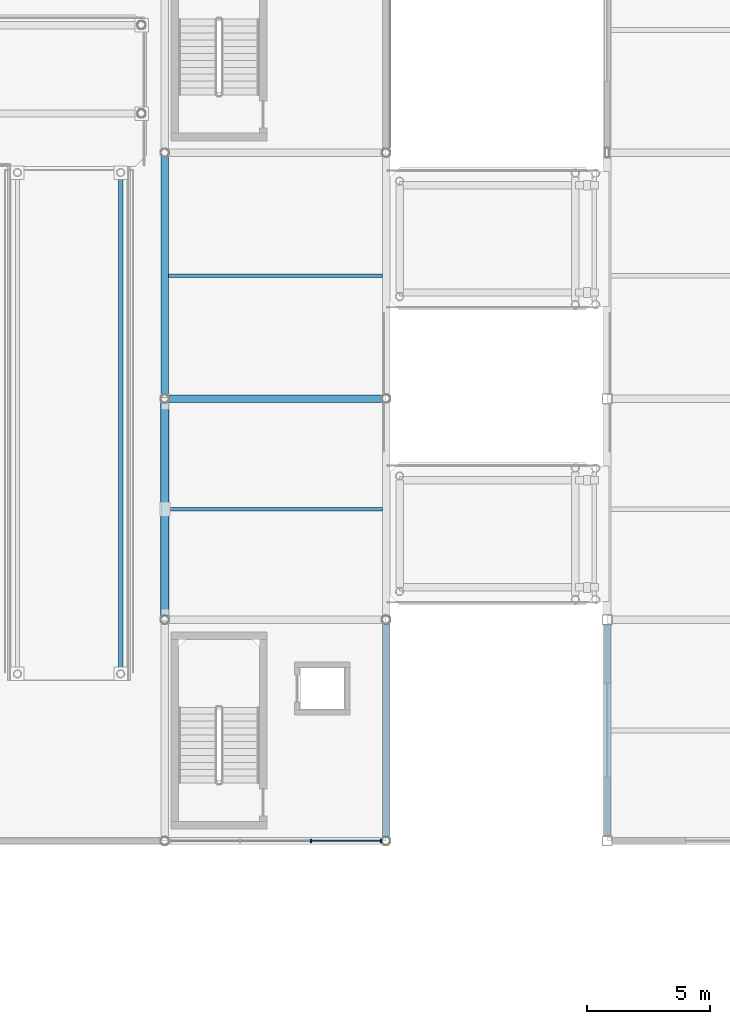
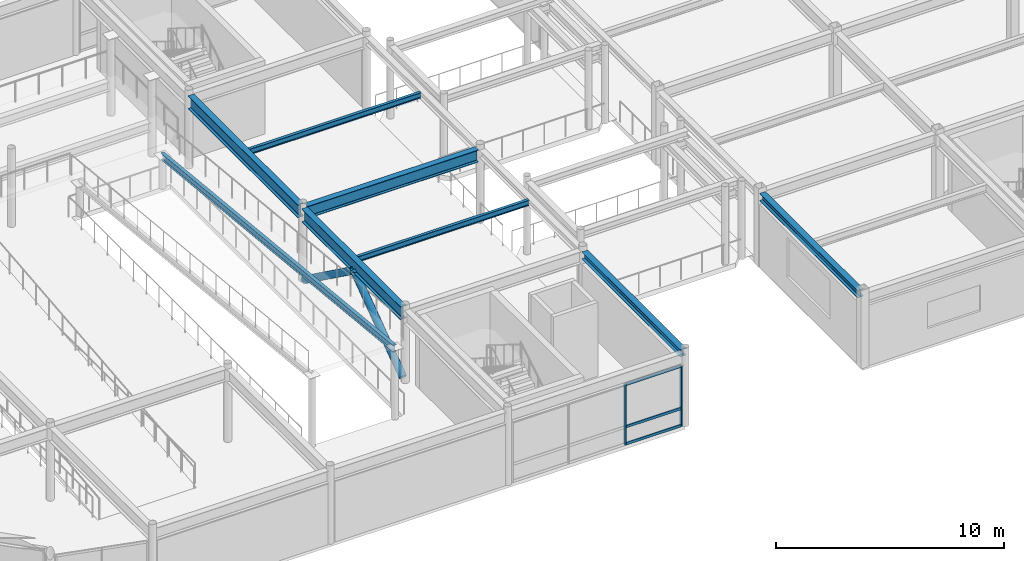
# One storey, part 19 of 70: 8 beams, 7 members, 1 element without a shape of its own.
"""IFC4 building model written with IfcOpenShell, lengths in metres."""

from ifc_helpers import new_model, si_unit, direction, frame, origin, origin_2d, place, context, subcontext, project, spatial, rectangle, hollow_circle, i_section, extrude, material, material_profile, profile_set, type_object, element, aggregate, save


model = new_model("IFC4")

# Units and contexts
model_context = context("Model", 3, precision=1e-05, world=origin(), true_north=direction((0.0, 1.0)))
body_context = subcontext(model_context, "Body", "Model", "MODEL_VIEW")
ifc_project = project(units=[si_unit("LENGTHUNIT", "METRE"), si_unit("AREAUNIT", "SQUARE_METRE"), si_unit("VOLUMEUNIT", "CUBIC_METRE"), si_unit("PLANEANGLEUNIT", "RADIAN"), si_unit("MASSUNIT", "GRAM", prefix="KILO")], contexts=[model_context])

# Site, building, storey
site_placement = place(None, origin())
site = spatial("IfcSite", under=ifc_project, at=site_placement, CompositionType="ELEMENT")
building_placement = place(site_placement, origin())
building = spatial("IfcBuilding", under=site, at=building_placement, Name="Suzunagisa Mobility Hub", CompositionType="ELEMENT")
storey_placement = place(building_placement, frame((0.0, 0.0, 13.5)))
storey = spatial("IfcBuildingStorey", under=building, at=storey_placement, Name="L03", CompositionType="ELEMENT", Elevation=13.5)

# Curtain wall, members
ifc_material_1 = material(Name="Thermally Broken Anodized Aluminum and Low-E Glazing", Category="aluminium")
curtain_wall_type = type_object("IfcCurtainWallType", Name="Unitised Curtain Wall CW-13 8750x3200", PredefinedType="USERDEFINED", material=ifc_material_1)
curtain_wall_placement = place(storey_placement, origin())
curtain_wall = element("IfcCurtainWall", 1, at=curtain_wall_placement, inside=storey, type_object=curtain_wall_type, Name="L03 Unitised Curtain Wall CW-74", ObjectType="UNITISED CURTAIN WALL", PredefinedType="USERDEFINED")
ifc_material_2 = material(Name="Anodized Aluminum 6063-T6", Category="aluminium")
ifc_material_profile_1 = material_profile(ifc_material_2, rectangle(XDim=0.06494140625, YDim=0.139892578125, at=origin_2d()), Name="TRAN-65x140")
ifc_profile_set_1 = profile_set([ifc_material_profile_1], Name="Anodized Aluminum 6063-T6")
member_type_1 = type_object("IfcMemberType", Name="Curtain Wall Framing CM-01 TRAN-65x140", PredefinedType="USERDEFINED", material=ifc_profile_set_1)
member_1_placement = place(storey_placement, frame((32.96875, 80.0, 0.032470703125), z_axis=(1.0, 0.0, 0.0), x_axis=(0.0, 1.0, 0.0)))
member_1 = element("IfcMember", 2, at=member_1_placement, type_object=member_type_1, Name="Curtain Wall Transom 74-T3.1", ObjectType="TRANSOM", PredefinedType="USERDEFINED", context=body_context, shape_type="SweptSolid", body=[
    extrude(rectangle(XDim=0.06494140625, YDim=0.139892578125, at=origin_2d()), origin(), (0.0, 0.0, 1.0), 2.79541015625),
])
member_2_placement = place(storey_placement, frame((32.96875, 80.0, 0.949951171875), z_axis=(1.0, 0.0, 0.0), x_axis=(0.0, 1.0, 0.0)))
member_2 = element("IfcMember", 3, at=member_2_placement, type_object=member_type_1, Name="Curtain Wall Transom 74-T3.2", ObjectType="TRANSOM", PredefinedType="USERDEFINED", context=body_context, shape_type="SweptSolid", body=[
    extrude(rectangle(XDim=0.06494140625, YDim=0.139892578125, at=origin_2d()), origin(), (0.0, 0.0, 1.0), 2.79541015625),
])
member_3_placement = place(storey_placement, frame((32.96875, 80.0, 3.217529296875), z_axis=(1.0, 0.0, 0.0), x_axis=(0.0, 1.0, 0.0)))
member_3 = element("IfcMember", 4, at=member_3_placement, type_object=member_type_1, Name="Curtain Wall Transom 74-T3.3", ObjectType="TRANSOM", PredefinedType="USERDEFINED", context=body_context, shape_type="SweptSolid", body=[
    extrude(rectangle(XDim=0.06494140625, YDim=0.139892578125, at=origin_2d()), origin(), (0.0, 0.0, 1.0), 2.79541015625),
])
ifc_material_profile_2 = material_profile(ifc_material_2, rectangle(XDim=0.06005859375, YDim=0.14990234375, at=origin_2d()), Name="MULL-60x150")
ifc_profile_set_2 = profile_set([ifc_material_profile_2], Name="Anodized Aluminum 6063-T6")
member_type_2 = type_object("IfcMemberType", Name="Curtain Wall Framing CM-03 MULL-60x150", PredefinedType="MULLION", material=ifc_profile_set_2)
member_4_placement = place(storey_placement, frame((32.940673828125, 80.0, 0.0), z_axis=(0.0, 0.0, 1.0), x_axis=(1.0, 0.0, 0.0)))
member_4 = element("IfcMember", 5, at=member_4_placement, type_object=member_type_2, Name="Curtain Wall Mullion 74-M3", PredefinedType="MULLION", context=body_context, shape_type="SweptSolid", body=[
    extrude(rectangle(XDim=0.06005859375, YDim=0.14990234375, at=origin_2d()), origin(), (0.0, 0.0, 1.0), 3.25),
])
member_5_placement = place(storey_placement, frame((35.792236328125, 80.0, 0.0), z_axis=(0.0, 0.0, 1.0), x_axis=(1.0, 0.0, 0.0)))
member_5 = element("IfcMember", 6, at=member_5_placement, type_object=member_type_2, Name="Curtain Wall Mullion 74-M4", PredefinedType="MULLION", context=body_context, shape_type="SweptSolid", body=[
    extrude(rectangle(XDim=0.06005859375, YDim=0.14990234375, at=origin_2d()), origin(), (0.0, 0.0, 1.0), 3.25),
])
aggregate(curtain_wall, [member_4, member_5, member_1, member_2, member_3])

# Members
ifc_material_3 = material(Name="Steel SN490B", Category="steel")
ifc_material_profile_3 = material_profile(ifc_material_3, hollow_circle(Radius=0.177734375, WallThickness=0.0126953125, at=origin_2d()), Name="CHS-355.6x12.7")
ifc_profile_set_3 = profile_set([ifc_material_profile_3], Name="Steel SN490B")
member_type_3 = type_object("IfcMemberType", Name="Roof Truss and Brace Member MB-03 CHS-355.6x12.7", PredefinedType="BRACE", material=ifc_profile_set_3)
for number, where, z_axis, x_axis, name in (
    (7, (27.0, 89.19775390625, 0.1201171875), (0.0, 0.809893183997, 0.586577386639), (-1.0, 0.0, 0.0), "L03 Concentric Lateral Brace BR-25"),
    (8, (27.0, 97.80224609375, 0.1201171875), (0.0, -0.809893183997, 0.586577386639), (1.0, 0.0, 0.0), "L03 Concentric Lateral Brace BR-26"),
):
    element("IfcMember", number, at=place(storey_placement, frame(where, z_axis=z_axis, x_axis=x_axis)), inside=storey, type_object=member_type_3, Name=name, PredefinedType="BRACE", context=body_context, shape_type="SweptSolid", body=[
        extrude(hollow_circle(Radius=0.177734375, WallThickness=0.0126953125, at=origin_2d()), origin(), (0.0, 0.0, 1.0), 5.31201171875),
    ])

# Beams
ifc_material_4 = material(Name="Steel SN400B", Category="steel")
ifc_material_profile_4 = material_profile(ifc_material_4, i_section(OverallWidth=0.175048828125, OverallDepth=0.35009765625, WebThickness=0.007080078125, FlangeThickness=0.010986328125, FilletRadius=0.008056640625, at=origin_2d()), Name="H-350x175x7x11")
ifc_profile_set_4 = profile_set([ifc_material_profile_4], Name="Steel SN400B")
beam_type_1 = type_object("IfcBeamType", Name="Steel Beam BM-03 H-350x175x7x11", PredefinedType="JOIST", material=ifc_profile_set_4)
beam_1_placement = place(storey_placement, frame((25.199951171875, 107.199951171875, 1.69091796875), z_axis=(0.0, -0.994990866518, 0.099965871902), x_axis=(1.0, 0.0, 0.0)))
element("IfcBeam", 9, at=beam_1_placement, inside=storey, type_object=beam_type_1, Name="L03 Vehicle Ramp Stringer Beam VR-06-F2-2330", PredefinedType="JOIST", context=body_context, shape_type="SweptSolid", body=[
    extrude(i_section(OverallWidth=0.175048828125, OverallDepth=0.35009765625, WebThickness=0.007080078125, FlangeThickness=0.010986328125, FilletRadius=0.008056640625, at=origin_2d()), origin(), (0.0, 0.0, 1.0), 20.502685546875),
])
ifc_material_profile_5 = material_profile(ifc_material_3, i_section(OverallWidth=0.300048828125, OverallDepth=0.64990234375, WebThickness=0.012939453125, FlangeThickness=0.02197265625, FilletRadius=0.01611328125, at=origin_2d()), Name="H-650x300x13x22")
ifc_profile_set_5 = profile_set([ifc_material_profile_5], Name="Steel SN490B")
beam_type_2 = type_object("IfcBeamType", Name="Steel Beam BM-10 H-650x300x13x22", PredefinedType="BEAM", material=ifc_profile_set_5)
beam_2_placement = place(storey_placement, frame((27.173828125, 98.0, 3.625), z_axis=(1.0, 0.0, 0.0), x_axis=(0.0, 1.0, 0.0)))
element("IfcBeam", 10, at=beam_2_placement, inside=storey, type_object=beam_type_2, Name="L03 Primary Girder GX-561", PredefinedType="BEAM", context=body_context, shape_type="SweptSolid", body=[
    extrude(i_section(OverallWidth=0.300048828125, OverallDepth=0.64990234375, WebThickness=0.012939453125, FlangeThickness=0.02197265625, FilletRadius=0.01611328125, at=origin_2d()), origin(), (0.0, 0.0, 1.0), 8.65234375),
])
ifc_material_profile_6 = material_profile(ifc_material_3, i_section(OverallWidth=0.300048828125, OverallDepth=0.699951171875, WebThickness=0.012939453125, FlangeThickness=0.02392578125, FilletRadius=0.01806640625, at=origin_2d()), Name="H-700x300x13x24")
ifc_profile_set_6 = profile_set([ifc_material_profile_6], Name="Steel SN490B")
beam_type_3 = type_object("IfcBeamType", Name="Steel Beam BM-11 H-700x300x13x24", PredefinedType="BEAM", material=ifc_profile_set_6)
beam_3_placement = place(storey_placement, frame((27.0, 89.173828125, 3.60009765625), z_axis=(0.0, 1.0, 0.0), x_axis=(-1.0, 0.0, 0.0)))
element("IfcBeam", 11, at=beam_3_placement, inside=storey, type_object=beam_type_3, Name="L03 Primary Girder GY-575", PredefinedType="BEAM", context=body_context, shape_type="SweptSolid", body=[
    extrude(i_section(OverallWidth=0.300048828125, OverallDepth=0.699951171875, WebThickness=0.012939453125, FlangeThickness=0.02392578125, FilletRadius=0.01806640625, at=origin_2d()), origin(), (0.0, 0.0, 1.0), 8.65234375),
])
beam_4_placement = place(storey_placement, frame((27.0, 98.173828125, 3.60009765625), z_axis=(0.0, 1.0, 0.0), x_axis=(-1.0, 0.0, 0.0)))
element("IfcBeam", 12, at=beam_4_placement, inside=storey, type_object=beam_type_3, Name="L03 Primary Girder GY-576", PredefinedType="BEAM", context=body_context, shape_type="SweptSolid", body=[
    extrude(i_section(OverallWidth=0.300048828125, OverallDepth=0.699951171875, WebThickness=0.012939453125, FlangeThickness=0.02392578125, FilletRadius=0.01806640625, at=origin_2d()), origin(), (0.0, 0.0, 1.0), 9.65234375),
])
ifc_material_profile_7 = material_profile(ifc_material_3, i_section(OverallWidth=0.300048828125, OverallDepth=0.389892578125, WebThickness=0.010009765625, FlangeThickness=0.01611328125, FilletRadius=0.012939453125, at=origin_2d()), Name="H-390x300x10x16")
ifc_profile_set_7 = profile_set([ifc_material_profile_7], Name="Steel SN490B")
beam_type_4 = type_object("IfcBeamType", Name="Steel Beam BM-13 H-390x300x10x16", PredefinedType="SPANDREL", material=ifc_profile_set_7)
beam_5_placement = place(storey_placement, frame((36.0, 80.173828125, 3.7548828125), z_axis=(0.0, 1.0, 0.0), x_axis=(-1.0, 0.0, 0.0)))
element("IfcBeam", 13, at=beam_5_placement, inside=storey, type_object=beam_type_4, Name="L03 Primary Girder GY-578", PredefinedType="SPANDREL", context=body_context, shape_type="SweptSolid", body=[
    extrude(i_section(OverallWidth=0.300048828125, OverallDepth=0.389892578125, WebThickness=0.010009765625, FlangeThickness=0.01611328125, FilletRadius=0.012939453125, at=origin_2d()), origin(), (0.0, 0.0, 1.0), 8.65234375),
])
beam_6_placement = place(storey_placement, frame((45.0, 80.196044921875, 3.7548828125), z_axis=(0.0, 1.0, 0.0), x_axis=(-1.0, 0.0, 0.0)))
element("IfcBeam", 14, at=beam_6_placement, inside=storey, type_object=beam_type_4, Name="L03 Primary Girder GY-1063", PredefinedType="SPANDREL", context=body_context, shape_type="SweptSolid", body=[
    extrude(i_section(OverallWidth=0.300048828125, OverallDepth=0.389892578125, WebThickness=0.010009765625, FlangeThickness=0.01611328125, FilletRadius=0.012939453125, at=origin_2d()), origin(), (0.0, 0.0, 1.0), 8.60791015625),
])
ifc_material_profile_8 = material_profile(ifc_material_4, i_section(OverallWidth=0.14990234375, OverallDepth=0.300048828125, WebThickness=0.006591796875, FlangeThickness=0.009033203125, FilletRadius=0.008056640625, at=origin_2d()), Name="H-300x150x6.5x9")
ifc_profile_set_8 = profile_set([ifc_material_profile_8], Name="Steel SN400B")
beam_type_5 = type_object("IfcBeamType", Name="Steel Beam BM-24 H-300x150x6.5x9", PredefinedType="JOIST", material=ifc_profile_set_8)
for number, where, z_axis, x_axis, name in (
    (15, (27.14990234375, 93.5, 3.7900390625), (1.0, 0.0, 0.0), (0.0, 1.0, 0.0), "L03 Composite Floor Joist J-586"),
    (16, (27.14990234375, 103.0, 3.7900390625), (1.0, 0.0, 0.0), (0.0, 1.0, 0.0), "L03 Composite Floor Joist J-587"),
):
    element("IfcBeam", number, at=place(storey_placement, frame(where, z_axis=z_axis, x_axis=x_axis)), inside=storey, type_object=beam_type_5, Name=name, PredefinedType="JOIST", context=body_context, shape_type="SweptSolid", body=[
        extrude(i_section(OverallWidth=0.14990234375, OverallDepth=0.300048828125, WebThickness=0.006591796875, FlangeThickness=0.009033203125, FilletRadius=0.008056640625, at=origin_2d()), origin(), (0.0, 0.0, 1.0), 8.7001953125),
    ])

save(model, "model.ifc")
